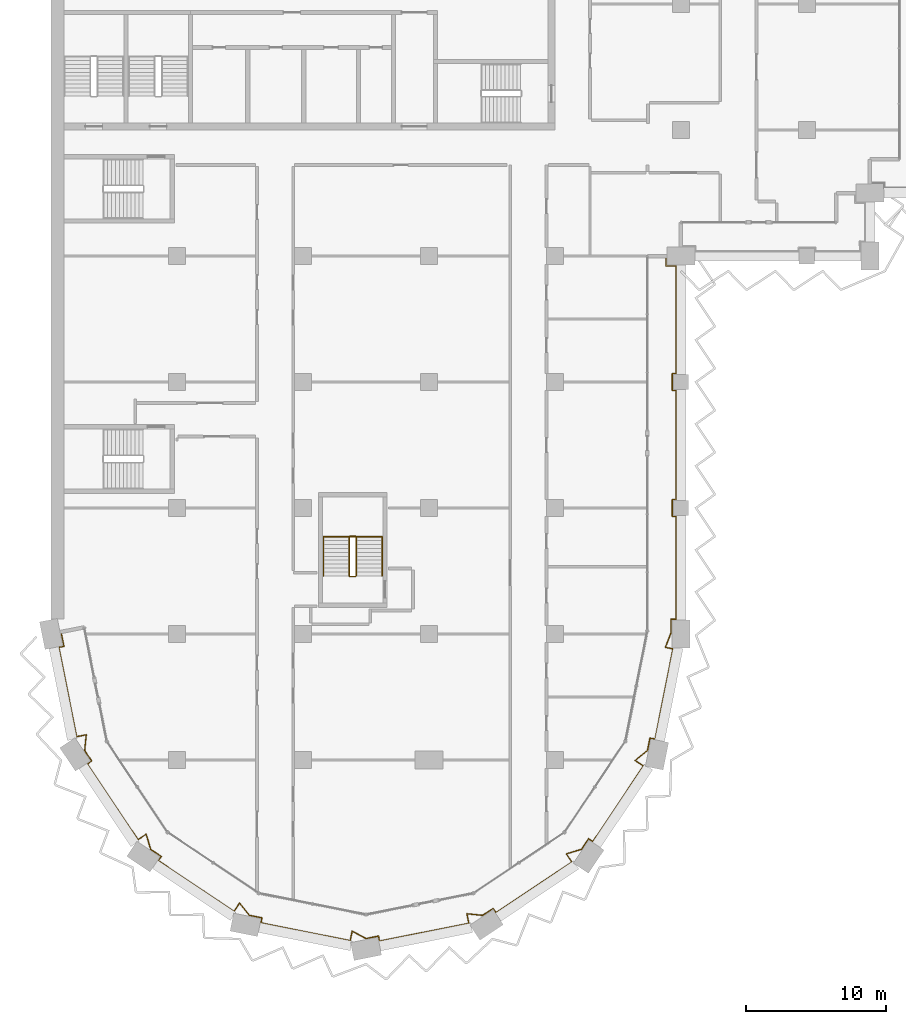
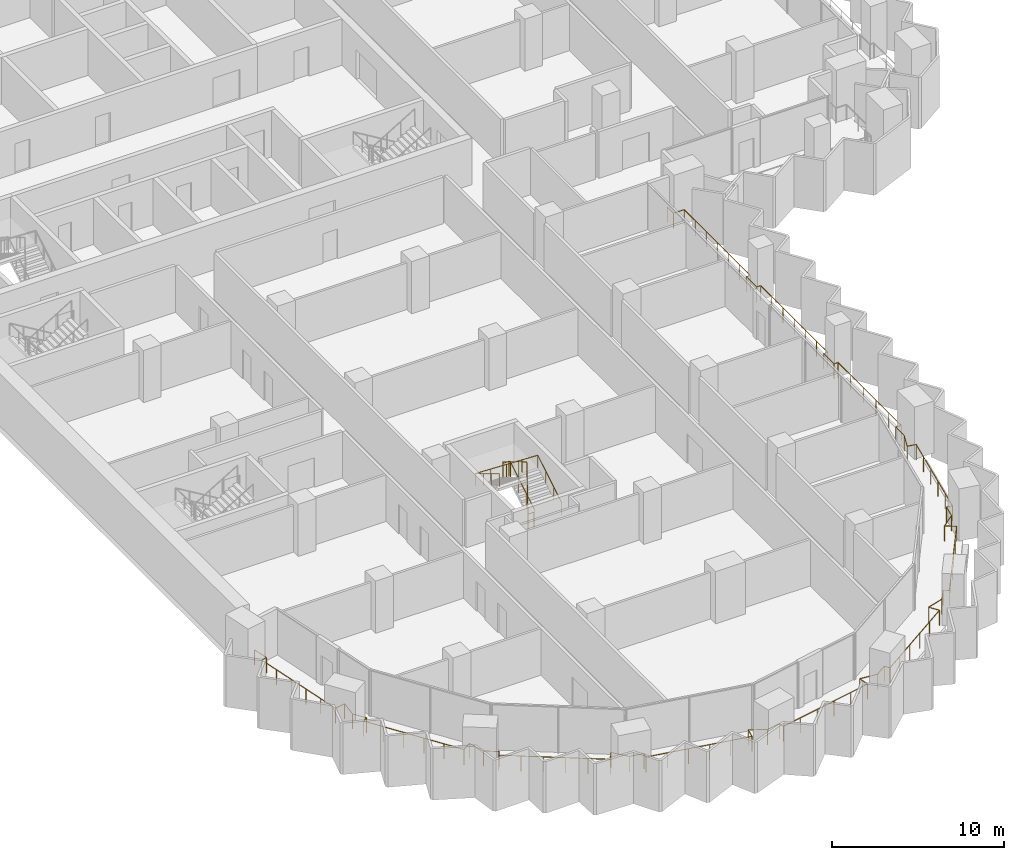
# One storey, part 19 of 22: 3 railings.
"""IFC4 building model written with IfcOpenShell, lengths in metres."""

from ifc_helpers import new_model, si_unit, direction, frame, origin, origin_2d, place, context, subcontext, project, spatial, circle, extrude, material, type_object, element, save


model = new_model("IFC4")

# Units and contexts
model_context = context("Model", 3, precision=1e-05, world=origin(), true_north=direction((0.0, 1.0)))
body_context = subcontext(model_context, "Body", "Model", "MODEL_VIEW")
ifc_project = project(units=[si_unit("LENGTHUNIT", "METRE"), si_unit("AREAUNIT", "SQUARE_METRE"), si_unit("VOLUMEUNIT", "CUBIC_METRE"), si_unit("PLANEANGLEUNIT", "RADIAN"), si_unit("MASSUNIT", "GRAM", prefix="KILO")], contexts=[model_context])

# Site, building, storey
site_placement = place(None, origin())
site = spatial("IfcSite", under=ifc_project, at=site_placement, CompositionType="ELEMENT")
building_placement = place(site_placement, origin())
building = spatial("IfcBuilding", under=site, at=building_placement, Name="Hunhe Ridgeline Campus", CompositionType="ELEMENT")
storey_placement = place(building_placement, frame((0.0, 0.0, 137.5)))
storey = spatial("IfcBuildingStorey", under=building, at=storey_placement, Name="L34", CompositionType="ELEMENT", Elevation=137.5)

# Railings
ifc_material_1 = material(Name="Steel Q355", Category="steel")
railing_type_1 = type_object("IfcRailingType", Name="Loggia guard 1100 Steel Q355", PredefinedType="GUARDRAIL", material=ifc_material_1)
railing_1_placement = place(storey_placement, frame((0.7060546875, 27.140380859375, 0.0)))
element("IfcRailing", 1, at=railing_1_placement, inside=storey, type_object=railing_type_1, Name="Loggia guard 1", PredefinedType="GUARDRAIL", context=body_context, shape_type="SweptSolid", body=[
    extrude(circle(Radius=0.02392578125, at=origin_2d()), frame((0.0, 0.0, 1.076171875), z_axis=(0.195087556151, -0.980785830564, 0.0), x_axis=(0.980785830564, 0.195087556151, 0.0)), (0.0, 0.0, 1.0), 1.050048828125),
    extrude(circle(Radius=0.02392578125, at=origin_2d()), frame((0.204833984375, -1.02978515625, 1.076171875), z_axis=(-0.980858940504, -0.194719641621, 0.0), x_axis=(0.194719641621, -0.980858940504, 0.0)), (0.0, 0.0, 1.0), 0.369873046875),
    extrude(circle(Radius=0.02392578125, at=origin_2d()), frame((-0.157958984375, -1.101806640625, 1.076171875), z_axis=(0.19507695386, -0.9807879394, 0.0), x_axis=(0.9807879394, 0.19507695386, 0.0)), (0.0, 0.0, 1.0), 6.506591796875),
    extrude(circle(Radius=0.02392578125, at=origin_2d()), frame((1.111328125, -7.4833984375, 1.076171875), z_axis=(0.980780459814, 0.195114555191, 0.0), x_axis=(-0.195114555191, 0.980780459814, 0.0)), (0.0, 0.0, 1.0), 0.703125),
    extrude(circle(Radius=0.02392578125, at=origin_2d()), frame((1.801025390625, -7.34619140625, 1.076171875), z_axis=(-0.102884402445, -0.994693319437, 0.0), x_axis=(0.994693319437, -0.102884402445, 0.0)), (0.0, 0.0, 1.0), 1.129638671875),
    extrude(circle(Radius=0.02392578125, at=origin_2d()), frame((1.684814453125, -8.4697265625, 1.076171875), z_axis=(0.555569523548, -0.831470086356, 0.0), x_axis=(0.831470086356, 0.555569523548, 0.0)), (0.0, 0.0, 1.0), 0.906982421875),
    extrude(circle(Radius=0.02392578125, at=origin_2d()), frame((2.188720703125, -9.223876953125, 1.076171875), z_axis=(-0.831440678638, -0.555613532868, 0.0), x_axis=(0.555613532868, -0.831440678638, 0.0)), (0.0, 0.0, 1.0), 0.369873046875),
    extrude(circle(Radius=0.02392578125, at=origin_2d()), frame((1.881103515625, -9.429443359375, 1.076171875), z_axis=(0.55556581165, -0.83147256655, 0.0), x_axis=(0.83147256655, 0.55556581165, 0.0)), (0.0, 0.0, 1.0), 6.50634765625),
    extrude(circle(Radius=0.02392578125, at=origin_2d()), frame((5.495849609375, -14.83935546875, 1.076171875), z_axis=(0.831355400166, 0.555741125539, 0.0), x_axis=(-0.555741125539, 0.831355400166, 0.0)), (0.0, 0.0, 1.0), 0.703369140625),
    extrude(circle(Radius=0.02392578125, at=origin_2d()), frame((6.08056640625, -14.448486328125, 1.076171875), z_axis=(0.285463917281, -0.958389457335, 0.0), x_axis=(0.958389457335, 0.285463917281, 0.0)), (0.0, 0.0, 1.0), 1.1298828125),
    extrude(circle(Radius=0.02392578125, at=origin_2d()), frame((6.403076171875, -15.53125, 1.076171875), z_axis=(0.831511358569, -0.555507750235, 0.0), x_axis=(0.555507750235, 0.831511358569, 0.0)), (0.0, 0.0, 1.0), 0.90673828125),
    extrude(circle(Radius=0.02392578125, at=origin_2d()), frame((7.156982421875, -16.034912109375, 1.076171875), z_axis=(-0.555613532868, -0.831440678638, 0.0), x_axis=(0.831440678638, -0.555613532868, 0.0)), (0.0, 0.0, 1.0), 0.369873046875),
    extrude(circle(Radius=0.02392578125, at=origin_2d()), frame((6.951416015625, -16.342529296875, 1.076171875), z_axis=(0.831455233209, -0.555591752251, 0.0), x_axis=(0.555591752251, 0.831455233209, 0.0)), (0.0, 0.0, 1.0), 6.506591796875),
    extrude(circle(Radius=0.02392578125, at=origin_2d()), frame((12.361328125, -19.95751953125, 1.076171875), z_axis=(0.555741125539, 0.831355400166, 0.0), x_axis=(-0.831355400166, 0.555741125539, 0.0)), (0.0, 0.0, 1.0), 0.703369140625),
    extrude(circle(Radius=0.02392578125, at=origin_2d()), frame((12.752197265625, -19.372802734375, 1.076171875), z_axis=(0.630633305327, -0.776080945657, 0.0), x_axis=(0.776080945657, 0.630633305327, 0.0)), (0.0, 0.0, 1.0), 1.129638671875),
    extrude(circle(Radius=0.02392578125, at=origin_2d()), frame((13.464599609375, -20.24951171875, 1.076171875), z_axis=(0.980807887006, -0.194976636516, 0.0), x_axis=(0.194976636516, 0.980807887006, 0.0)), (0.0, 0.0, 1.0), 0.906494140625),
    extrude(circle(Radius=0.02392578125, at=origin_2d()), frame((14.353759765625, -20.42626953125, 1.076171875), z_axis=(-0.194593653816, -0.980883943132, 0.0), x_axis=(0.980883943132, -0.194593653816, 0.0)), (0.0, 0.0, 1.0), 0.3701171875),
    extrude(circle(Radius=0.02392578125, at=origin_2d()), frame((14.28173828125, -20.789306640625, 1.076171875), z_axis=(0.98078651142, -0.195084133173, 0.0), x_axis=(0.195084133173, 0.98078651142, 0.0)), (0.0, 0.0, 1.0), 6.50634765625),
    extrude(circle(Radius=0.02392578125, at=origin_2d()), frame((20.6630859375, -22.05859375, 1.076171875), z_axis=(0.195114555191, 0.980780459814, 0.0), x_axis=(-0.980780459814, 0.195114555191, 0.0)), (0.0, 0.0, 1.0), 0.703125),
    extrude(circle(Radius=0.02392578125, at=origin_2d()), frame((20.80029296875, -21.368896484375, 1.076171875), z_axis=(0.879616090555, -0.475684278946, 0.0), x_axis=(0.475684278946, 0.879616090555, 0.0)), (0.0, 0.0, 1.0), 1.129638671875),
    extrude(circle(Radius=0.02392578125, at=origin_2d()), frame((21.7939453125, -21.90625, 1.076171875), z_axis=(0.98081812081, 0.194925149456, 0.0), x_axis=(-0.194925149456, 0.98081812081, 0.0)), (0.0, 0.0, 1.0), 0.90673828125),
    extrude(circle(Radius=0.02392578125, at=origin_2d()), frame((22.683349609375, -21.7294921875, 1.076171875), z_axis=(0.194719641621, -0.980858940504, 0.0), x_axis=(0.980858940504, 0.194719641621, 0.0)), (0.0, 0.0, 1.0), 0.369873046875),
    extrude(circle(Radius=0.02392578125, at=origin_2d()), frame((22.75537109375, -22.09228515625, 1.076171875), z_axis=(0.9807879394, 0.19507695386, 0.0), x_axis=(-0.19507695386, 0.9807879394, 0.0)), (0.0, 0.0, 1.0), 6.506591796875),
    extrude(circle(Radius=0.02392578125, at=origin_2d()), frame((29.136962890625, -20.822998046875, 1.076171875), z_axis=(-0.195114555191, 0.980780459814, 0.0), x_axis=(-0.980780459814, -0.195114555191, 0.0)), (0.0, 0.0, 1.0), 0.703125),
    extrude(circle(Radius=0.02392578125, at=origin_2d()), frame((28.999755859375, -20.13330078125, 1.076171875), z_axis=(0.994693319437, -0.102884402445, 0.0), x_axis=(0.102884402445, 0.994693319437, 0.0)), (0.0, 0.0, 1.0), 1.129638671875),
    extrude(circle(Radius=0.02392578125, at=origin_2d()), frame((30.123291015625, -20.24951171875, 1.076171875), z_axis=(0.831470086356, 0.555569523548, 0.0), x_axis=(-0.555569523548, 0.831470086356, 0.0)), (0.0, 0.0, 1.0), 0.906982421875),
    extrude(circle(Radius=0.02392578125, at=origin_2d()), frame((30.87744140625, -19.74560546875, 1.076171875), z_axis=(0.555613532868, -0.831440678638, 0.0), x_axis=(0.831440678638, 0.555613532868, 0.0)), (0.0, 0.0, 1.0), 0.369873046875),
    extrude(circle(Radius=0.02392578125, at=origin_2d()), frame((31.0830078125, -20.05322265625, 1.076171875), z_axis=(0.83147256655, 0.55556581165, 0.0), x_axis=(-0.55556581165, 0.83147256655, 0.0)), (0.0, 0.0, 1.0), 6.50634765625),
    extrude(circle(Radius=0.02392578125, at=origin_2d()), frame((36.492919921875, -16.4384765625, 1.076171875), z_axis=(-0.555741125539, 0.831355400166, 0.0), x_axis=(-0.831355400166, -0.555741125539, 0.0)), (0.0, 0.0, 1.0), 0.703369140625),
    extrude(circle(Radius=0.02392578125, at=origin_2d()), frame((36.10205078125, -15.853759765625, 1.076171875), z_axis=(0.958389457335, 0.285463917281, 0.0), x_axis=(-0.285463917281, 0.958389457335, 0.0)), (0.0, 0.0, 1.0), 1.1298828125),
    extrude(circle(Radius=0.02392578125, at=origin_2d()), frame((37.184814453125, -15.53125, 1.076171875), z_axis=(0.555507750235, 0.831511358569, 0.0), x_axis=(-0.831511358569, 0.555507750235, 0.0)), (0.0, 0.0, 1.0), 0.90673828125),
    extrude(circle(Radius=0.02392578125, at=origin_2d()), frame((37.6884765625, -14.77734375, 1.076171875), z_axis=(0.831440678638, -0.555613532868, 0.0), x_axis=(0.555613532868, 0.831440678638, 0.0)), (0.0, 0.0, 1.0), 0.369873046875),
    extrude(circle(Radius=0.02392578125, at=origin_2d()), frame((37.99609375, -14.98291015625, 1.076171875), z_axis=(0.555591752251, 0.831455233209, 0.0), x_axis=(-0.831455233209, 0.555591752251, 0.0)), (0.0, 0.0, 1.0), 6.506591796875),
    extrude(circle(Radius=0.02392578125, at=origin_2d()), frame((41.611083984375, -9.572998046875, 1.076171875), z_axis=(-0.831355400166, 0.555741125539, 0.0), x_axis=(-0.555741125539, -0.831355400166, 0.0)), (0.0, 0.0, 1.0), 0.703369140625),
    extrude(circle(Radius=0.02392578125, at=origin_2d()), frame((41.0263671875, -9.18212890625, 1.076171875), z_axis=(0.776080945657, 0.630633305327, 0.0), x_axis=(-0.630633305327, 0.776080945657, 0.0)), (0.0, 0.0, 1.0), 1.129638671875),
    extrude(circle(Radius=0.02392578125, at=origin_2d()), frame((41.903076171875, -8.4697265625, 1.076171875), z_axis=(0.194976636516, 0.980807887006, 0.0), x_axis=(-0.980807887006, 0.194976636516, 0.0)), (0.0, 0.0, 1.0), 0.906494140625),
    extrude(circle(Radius=0.02392578125, at=origin_2d()), frame((42.079833984375, -7.58056640625, 1.076171875), z_axis=(0.980883943132, -0.194593653816, 0.0), x_axis=(0.194593653816, 0.980883943132, 0.0)), (0.0, 0.0, 1.0), 0.3701171875),
    extrude(circle(Radius=0.02392578125, at=origin_2d()), frame((42.44287109375, -7.652587890625, 1.076171875), z_axis=(0.195087191819, 0.980785903033, 0.0), x_axis=(-0.980785903033, 0.195087191819, 0.0)), (0.0, 0.0, 1.0), 6.5712890625),
    extrude(circle(Radius=0.02392578125, at=origin_2d()), frame((43.724853515625, -1.20751953125, 1.076171875), z_axis=(-0.9807502228, 0.195266485801, 0.0), x_axis=(-0.195266485801, -0.9807502228, 0.0)), (0.0, 0.0, 1.0), 0.552734375),
    extrude(circle(Radius=0.02392578125, at=origin_2d()), frame((43.182861328125, -1.099609375, 1.076171875), z_axis=(0.354981524628, 0.934873316109, 0.0), x_axis=(-0.934873316109, 0.354981524628, 0.0)), (0.0, 0.0, 1.0), 1.101806640625),
    extrude(circle(Radius=0.02392578125, at=origin_2d()), frame((43.573974609375, -0.069580078125, 1.076171875), z_axis=(0.0, 1.0, 0.0), x_axis=(-1.0, 0.0, 0.0)), (0.0, 0.0, 1.0), 0.979248046875),
    extrude(circle(Radius=0.02392578125, at=origin_2d()), frame((43.573974609375, 0.90966796875, 1.076171875), z_axis=(1.0, 0.0, 0.0), x_axis=(0.0, 1.0, 0.0)), (0.0, 0.0, 1.0), 0.369873046875),
    extrude(circle(Radius=0.02392578125, at=origin_2d()), frame((43.94384765625, 0.90966796875, 1.076171875), z_axis=(0.0, 1.0, 0.0), x_axis=(-1.0, 0.0, 0.0)), (0.0, 0.0, 1.0), 7.349853515625),
    extrude(circle(Radius=0.02392578125, at=origin_2d()), frame((43.94384765625, 8.259521484375, 1.076171875), z_axis=(-1.0, 0.0, 0.0), x_axis=(0.0, -1.0, 0.0)), (0.0, 0.0, 1.0), 0.27001953125),
    extrude(circle(Radius=0.02392578125, at=origin_2d()), frame((43.673828125, 8.259521484375, 1.076171875), z_axis=(0.0, 1.0, 0.0), x_axis=(-1.0, 0.0, 0.0)), (0.0, 0.0, 1.0), 1.2001953125),
    extrude(circle(Radius=0.02392578125, at=origin_2d()), frame((43.673828125, 9.459716796875, 1.076171875), z_axis=(1.0, 0.0, 0.0), x_axis=(0.0, 1.0, 0.0)), (0.0, 0.0, 1.0), 0.27001953125),
    extrude(circle(Radius=0.02392578125, at=origin_2d()), frame((43.94384765625, 9.459716796875, 1.076171875), z_axis=(0.0, 1.0, 0.0), x_axis=(-1.0, 0.0, 0.0)), (0.0, 0.0, 1.0), 7.7998046875),
    extrude(circle(Radius=0.02392578125, at=origin_2d()), frame((43.94384765625, 17.259521484375, 1.076171875), z_axis=(-1.0, 0.0, 0.0), x_axis=(0.0, -1.0, 0.0)), (0.0, 0.0, 1.0), 0.27001953125),
    extrude(circle(Radius=0.02392578125, at=origin_2d()), frame((43.673828125, 17.259521484375, 1.076171875), z_axis=(0.0, 1.0, 0.0), x_axis=(-1.0, 0.0, 0.0)), (0.0, 0.0, 1.0), 1.2001953125),
    extrude(circle(Radius=0.02392578125, at=origin_2d()), frame((43.673828125, 18.459716796875, 1.076171875), z_axis=(1.0, 0.0, 0.0), x_axis=(0.0, 1.0, 0.0)), (0.0, 0.0, 1.0), 0.27001953125),
    extrude(circle(Radius=0.02392578125, at=origin_2d()), frame((43.94384765625, 18.459716796875, 1.076171875), z_axis=(0.0, 1.0, 0.0), x_axis=(-1.0, 0.0, 0.0)), (0.0, 0.0, 1.0), 7.699951171875),
    extrude(circle(Radius=0.02392578125, at=origin_2d()), frame((43.94384765625, 26.15966796875, 1.076171875), z_axis=(-1.0, 0.0, 0.0), x_axis=(0.0, -1.0, 0.0)), (0.0, 0.0, 1.0), 0.719970703125),
    extrude(circle(Radius=0.02392578125, at=origin_2d()), frame((43.223876953125, 26.15966796875, 1.076171875), z_axis=(0.0, 1.0, 0.0), x_axis=(-1.0, 0.0, 0.0)), (0.0, 0.0, 1.0), 0.699951171875),
    extrude(circle(Radius=0.02099609375, at=origin_2d()), origin(), (0.0, 0.0, 1.0), 1.052001953125),
    extrude(circle(Radius=0.02099609375, at=origin_2d()), frame((0.204833984375, -1.02978515625, 0.0)), (0.0, 0.0, 1.0), 1.052001953125),
    extrude(circle(Radius=0.02099609375, at=origin_2d()), frame((-0.157958984375, -1.101806640625, 0.0)), (0.0, 0.0, 1.0), 1.052001953125),
    extrude(circle(Radius=0.02099609375, at=origin_2d()), frame((0.095947265625, -2.378173828125, 0.0)), (0.0, 0.0, 1.0), 1.052001953125),
    extrude(circle(Radius=0.02099609375, at=origin_2d()), frame((0.349853515625, -3.654541015625, 0.0)), (0.0, 0.0, 1.0), 1.052001953125),
    extrude(circle(Radius=0.02099609375, at=origin_2d()), frame((0.603515625, -4.9306640625, 0.0)), (0.0, 0.0, 1.0), 1.052001953125),
    extrude(circle(Radius=0.02099609375, at=origin_2d()), frame((0.857421875, -6.20703125, 0.0)), (0.0, 0.0, 1.0), 1.052001953125),
    extrude(circle(Radius=0.02099609375, at=origin_2d()), frame((1.111328125, -7.4833984375, 0.0)), (0.0, 0.0, 1.0), 1.052001953125),
    extrude(circle(Radius=0.02099609375, at=origin_2d()), frame((1.801025390625, -7.34619140625, 0.0)), (0.0, 0.0, 1.0), 1.052001953125),
    extrude(circle(Radius=0.02099609375, at=origin_2d()), frame((1.684814453125, -8.4697265625, 0.0)), (0.0, 0.0, 1.0), 1.052001953125),
    extrude(circle(Radius=0.02099609375, at=origin_2d()), frame((2.188720703125, -9.223876953125, 0.0)), (0.0, 0.0, 1.0), 1.052001953125),
    extrude(circle(Radius=0.02099609375, at=origin_2d()), frame((1.881103515625, -9.429443359375, 0.0)), (0.0, 0.0, 1.0), 1.052001953125),
    extrude(circle(Radius=0.02099609375, at=origin_2d()), frame((2.60400390625, -10.511474609375, 0.0)), (0.0, 0.0, 1.0), 1.052001953125),
    extrude(circle(Radius=0.02099609375, at=origin_2d()), frame((3.326904296875, -11.593505859375, 0.0)), (0.0, 0.0, 1.0), 1.052001953125),
    extrude(circle(Radius=0.02099609375, at=origin_2d()), frame((4.050048828125, -12.67529296875, 0.0)), (0.0, 0.0, 1.0), 1.052001953125),
    extrude(circle(Radius=0.02099609375, at=origin_2d()), frame((4.77294921875, -13.75732421875, 0.0)), (0.0, 0.0, 1.0), 1.052001953125),
    extrude(circle(Radius=0.02099609375, at=origin_2d()), frame((5.495849609375, -14.83935546875, 0.0)), (0.0, 0.0, 1.0), 1.052001953125),
    extrude(circle(Radius=0.02099609375, at=origin_2d()), frame((6.08056640625, -14.448486328125, 0.0)), (0.0, 0.0, 1.0), 1.052001953125),
    extrude(circle(Radius=0.02099609375, at=origin_2d()), frame((6.403076171875, -15.53125, 0.0)), (0.0, 0.0, 1.0), 1.052001953125),
    extrude(circle(Radius=0.02099609375, at=origin_2d()), frame((7.156982421875, -16.034912109375, 0.0)), (0.0, 0.0, 1.0), 1.052001953125),
    extrude(circle(Radius=0.02099609375, at=origin_2d()), frame((6.951416015625, -16.342529296875, 0.0)), (0.0, 0.0, 1.0), 1.052001953125),
    extrude(circle(Radius=0.02099609375, at=origin_2d()), frame((8.033447265625, -17.0654296875, 0.0)), (0.0, 0.0, 1.0), 1.052001953125),
    extrude(circle(Radius=0.02099609375, at=origin_2d()), frame((9.115478515625, -17.78857421875, 0.0)), (0.0, 0.0, 1.0), 1.052001953125),
    extrude(circle(Radius=0.02099609375, at=origin_2d()), frame((10.197265625, -18.511474609375, 0.0)), (0.0, 0.0, 1.0), 1.052001953125),
    extrude(circle(Radius=0.02099609375, at=origin_2d()), frame((11.279296875, -19.234619140625, 0.0)), (0.0, 0.0, 1.0), 1.052001953125),
    extrude(circle(Radius=0.02099609375, at=origin_2d()), frame((12.361328125, -19.95751953125, 0.0)), (0.0, 0.0, 1.0), 1.052001953125),
    extrude(circle(Radius=0.02099609375, at=origin_2d()), frame((12.752197265625, -19.372802734375, 0.0)), (0.0, 0.0, 1.0), 1.052001953125),
    extrude(circle(Radius=0.02099609375, at=origin_2d()), frame((13.464599609375, -20.24951171875, 0.0)), (0.0, 0.0, 1.0), 1.052001953125),
    extrude(circle(Radius=0.02099609375, at=origin_2d()), frame((14.353759765625, -20.42626953125, 0.0)), (0.0, 0.0, 1.0), 1.052001953125),
    extrude(circle(Radius=0.02099609375, at=origin_2d()), frame((14.28173828125, -20.789306640625, 0.0)), (0.0, 0.0, 1.0), 1.052001953125),
    extrude(circle(Radius=0.02099609375, at=origin_2d()), frame((15.55810546875, -21.043212890625, 0.0)), (0.0, 0.0, 1.0), 1.052001953125),
    extrude(circle(Radius=0.02099609375, at=origin_2d()), frame((16.834228515625, -21.297119140625, 0.0)), (0.0, 0.0, 1.0), 1.052001953125),
    extrude(circle(Radius=0.02099609375, at=origin_2d()), frame((18.110595703125, -21.55078125, 0.0)), (0.0, 0.0, 1.0), 1.052001953125),
    extrude(circle(Radius=0.02099609375, at=origin_2d()), frame((19.38671875, -21.8046875, 0.0)), (0.0, 0.0, 1.0), 1.052001953125),
    extrude(circle(Radius=0.02099609375, at=origin_2d()), frame((20.6630859375, -22.05859375, 0.0)), (0.0, 0.0, 1.0), 1.052001953125),
    extrude(circle(Radius=0.02099609375, at=origin_2d()), frame((20.80029296875, -21.368896484375, 0.0)), (0.0, 0.0, 1.0), 1.052001953125),
    extrude(circle(Radius=0.02099609375, at=origin_2d()), frame((21.7939453125, -21.90625, 0.0)), (0.0, 0.0, 1.0), 1.052001953125),
    extrude(circle(Radius=0.02099609375, at=origin_2d()), frame((22.683349609375, -21.7294921875, 0.0)), (0.0, 0.0, 1.0), 1.052001953125),
    extrude(circle(Radius=0.02099609375, at=origin_2d()), frame((22.75537109375, -22.09228515625, 0.0)), (0.0, 0.0, 1.0), 1.052001953125),
    extrude(circle(Radius=0.02099609375, at=origin_2d()), frame((24.03173828125, -21.83837890625, 0.0)), (0.0, 0.0, 1.0), 1.052001953125),
    extrude(circle(Radius=0.02099609375, at=origin_2d()), frame((25.30810546875, -21.58447265625, 0.0)), (0.0, 0.0, 1.0), 1.052001953125),
    extrude(circle(Radius=0.02099609375, at=origin_2d()), frame((26.584228515625, -21.330810546875, 0.0)), (0.0, 0.0, 1.0), 1.052001953125),
    extrude(circle(Radius=0.02099609375, at=origin_2d()), frame((27.860595703125, -21.076904296875, 0.0)), (0.0, 0.0, 1.0), 1.052001953125),
    extrude(circle(Radius=0.02099609375, at=origin_2d()), frame((29.136962890625, -20.822998046875, 0.0)), (0.0, 0.0, 1.0), 1.052001953125),
    extrude(circle(Radius=0.02099609375, at=origin_2d()), frame((28.999755859375, -20.13330078125, 0.0)), (0.0, 0.0, 1.0), 1.052001953125),
    extrude(circle(Radius=0.02099609375, at=origin_2d()), frame((30.123291015625, -20.24951171875, 0.0)), (0.0, 0.0, 1.0), 1.052001953125),
    extrude(circle(Radius=0.02099609375, at=origin_2d()), frame((30.87744140625, -19.74560546875, 0.0)), (0.0, 0.0, 1.0), 1.052001953125),
    extrude(circle(Radius=0.02099609375, at=origin_2d()), frame((31.0830078125, -20.05322265625, 0.0)), (0.0, 0.0, 1.0), 1.052001953125),
    extrude(circle(Radius=0.02099609375, at=origin_2d()), frame((32.1650390625, -19.330322265625, 0.0)), (0.0, 0.0, 1.0), 1.052001953125),
    extrude(circle(Radius=0.02099609375, at=origin_2d()), frame((33.2470703125, -18.607421875, 0.0)), (0.0, 0.0, 1.0), 1.052001953125),
    extrude(circle(Radius=0.02099609375, at=origin_2d()), frame((34.328857421875, -17.88427734375, 0.0)), (0.0, 0.0, 1.0), 1.052001953125),
    extrude(circle(Radius=0.02099609375, at=origin_2d()), frame((35.410888671875, -17.161376953125, 0.0)), (0.0, 0.0, 1.0), 1.052001953125),
    extrude(circle(Radius=0.02099609375, at=origin_2d()), frame((36.492919921875, -16.4384765625, 0.0)), (0.0, 0.0, 1.0), 1.052001953125),
    extrude(circle(Radius=0.02099609375, at=origin_2d()), frame((36.10205078125, -15.853759765625, 0.0)), (0.0, 0.0, 1.0), 1.052001953125),
    extrude(circle(Radius=0.02099609375, at=origin_2d()), frame((37.184814453125, -15.53125, 0.0)), (0.0, 0.0, 1.0), 1.052001953125),
    extrude(circle(Radius=0.02099609375, at=origin_2d()), frame((37.6884765625, -14.77734375, 0.0)), (0.0, 0.0, 1.0), 1.052001953125),
    extrude(circle(Radius=0.02099609375, at=origin_2d()), frame((37.99609375, -14.98291015625, 0.0)), (0.0, 0.0, 1.0), 1.052001953125),
    extrude(circle(Radius=0.02099609375, at=origin_2d()), frame((38.718994140625, -13.90087890625, 0.0)), (0.0, 0.0, 1.0), 1.052001953125),
    extrude(circle(Radius=0.02099609375, at=origin_2d()), frame((39.442138671875, -12.81884765625, 0.0)), (0.0, 0.0, 1.0), 1.052001953125),
    extrude(circle(Radius=0.02099609375, at=origin_2d()), frame((40.1650390625, -11.737060546875, 0.0)), (0.0, 0.0, 1.0), 1.052001953125),
    extrude(circle(Radius=0.02099609375, at=origin_2d()), frame((40.88818359375, -10.655029296875, 0.0)), (0.0, 0.0, 1.0), 1.052001953125),
    extrude(circle(Radius=0.02099609375, at=origin_2d()), frame((41.611083984375, -9.572998046875, 0.0)), (0.0, 0.0, 1.0), 1.052001953125),
    extrude(circle(Radius=0.02099609375, at=origin_2d()), frame((41.0263671875, -9.18212890625, 0.0)), (0.0, 0.0, 1.0), 1.052001953125),
    extrude(circle(Radius=0.02099609375, at=origin_2d()), frame((41.903076171875, -8.4697265625, 0.0)), (0.0, 0.0, 1.0), 1.052001953125),
    extrude(circle(Radius=0.02099609375, at=origin_2d()), frame((42.079833984375, -7.58056640625, 0.0)), (0.0, 0.0, 1.0), 1.052001953125),
    extrude(circle(Radius=0.02099609375, at=origin_2d()), frame((42.44287109375, -7.652587890625, 0.0)), (0.0, 0.0, 1.0), 1.052001953125),
    extrude(circle(Radius=0.02099609375, at=origin_2d()), frame((42.69921875, -6.363525390625, 0.0)), (0.0, 0.0, 1.0), 1.052001953125),
    extrude(circle(Radius=0.02099609375, at=origin_2d()), frame((42.95556640625, -5.074462890625, 0.0)), (0.0, 0.0, 1.0), 1.052001953125),
    extrude(circle(Radius=0.02099609375, at=origin_2d()), frame((43.212158203125, -3.78564453125, 0.0)), (0.0, 0.0, 1.0), 1.052001953125),
    extrude(circle(Radius=0.02099609375, at=origin_2d()), frame((43.468505859375, -2.49658203125, 0.0)), (0.0, 0.0, 1.0), 1.052001953125),
    extrude(circle(Radius=0.02099609375, at=origin_2d()), frame((43.724853515625, -1.20751953125, 0.0)), (0.0, 0.0, 1.0), 1.052001953125),
    extrude(circle(Radius=0.02099609375, at=origin_2d()), frame((43.182861328125, -1.099609375, 0.0)), (0.0, 0.0, 1.0), 1.052001953125),
    extrude(circle(Radius=0.02099609375, at=origin_2d()), frame((43.573974609375, -0.069580078125, 0.0)), (0.0, 0.0, 1.0), 1.052001953125),
    extrude(circle(Radius=0.02099609375, at=origin_2d()), frame((43.573974609375, 0.90966796875, 0.0)), (0.0, 0.0, 1.0), 1.052001953125),
    extrude(circle(Radius=0.02099609375, at=origin_2d()), frame((43.94384765625, 0.90966796875, 0.0)), (0.0, 0.0, 1.0), 1.052001953125),
    extrude(circle(Radius=0.02099609375, at=origin_2d()), frame((43.94384765625, 2.379638671875, 0.0)), (0.0, 0.0, 1.0), 1.052001953125),
    extrude(circle(Radius=0.02099609375, at=origin_2d()), frame((43.94384765625, 3.849609375, 0.0)), (0.0, 0.0, 1.0), 1.052001953125),
    extrude(circle(Radius=0.02099609375, at=origin_2d()), frame((43.94384765625, 5.319580078125, 0.0)), (0.0, 0.0, 1.0), 1.052001953125),
    extrude(circle(Radius=0.02099609375, at=origin_2d()), frame((43.94384765625, 6.78955078125, 0.0)), (0.0, 0.0, 1.0), 1.052001953125),
    extrude(circle(Radius=0.02099609375, at=origin_2d()), frame((43.94384765625, 8.259521484375, 0.0)), (0.0, 0.0, 1.0), 1.052001953125),
    extrude(circle(Radius=0.02099609375, at=origin_2d()), frame((43.673828125, 8.259521484375, 0.0)), (0.0, 0.0, 1.0), 1.052001953125),
    extrude(circle(Radius=0.02099609375, at=origin_2d()), frame((43.673828125, 9.459716796875, 0.0)), (0.0, 0.0, 1.0), 1.052001953125),
    extrude(circle(Radius=0.02099609375, at=origin_2d()), frame((43.94384765625, 9.459716796875, 0.0)), (0.0, 0.0, 1.0), 1.052001953125),
    extrude(circle(Radius=0.02099609375, at=origin_2d()), frame((43.94384765625, 10.759765625, 0.0)), (0.0, 0.0, 1.0), 1.052001953125),
    extrude(circle(Radius=0.02099609375, at=origin_2d()), frame((43.94384765625, 12.0595703125, 0.0)), (0.0, 0.0, 1.0), 1.052001953125),
    extrude(circle(Radius=0.02099609375, at=origin_2d()), frame((43.94384765625, 13.359619140625, 0.0)), (0.0, 0.0, 1.0), 1.052001953125),
    extrude(circle(Radius=0.02099609375, at=origin_2d()), frame((43.94384765625, 14.65966796875, 0.0)), (0.0, 0.0, 1.0), 1.052001953125),
    extrude(circle(Radius=0.02099609375, at=origin_2d()), frame((43.94384765625, 15.95947265625, 0.0)), (0.0, 0.0, 1.0), 1.052001953125),
    extrude(circle(Radius=0.02099609375, at=origin_2d()), frame((43.94384765625, 17.259521484375, 0.0)), (0.0, 0.0, 1.0), 1.052001953125),
    extrude(circle(Radius=0.02099609375, at=origin_2d()), frame((43.673828125, 17.259521484375, 0.0)), (0.0, 0.0, 1.0), 1.052001953125),
    extrude(circle(Radius=0.02099609375, at=origin_2d()), frame((43.673828125, 18.459716796875, 0.0)), (0.0, 0.0, 1.0), 1.052001953125),
    extrude(circle(Radius=0.02099609375, at=origin_2d()), frame((43.94384765625, 18.459716796875, 0.0)), (0.0, 0.0, 1.0), 1.052001953125),
    extrude(circle(Radius=0.02099609375, at=origin_2d()), frame((43.94384765625, 19.7431640625, 0.0)), (0.0, 0.0, 1.0), 1.052001953125),
    extrude(circle(Radius=0.02099609375, at=origin_2d()), frame((43.94384765625, 21.0263671875, 0.0)), (0.0, 0.0, 1.0), 1.052001953125),
    extrude(circle(Radius=0.02099609375, at=origin_2d()), frame((43.94384765625, 22.3095703125, 0.0)), (0.0, 0.0, 1.0), 1.052001953125),
    extrude(circle(Radius=0.02099609375, at=origin_2d()), frame((43.94384765625, 23.593017578125, 0.0)), (0.0, 0.0, 1.0), 1.052001953125),
    extrude(circle(Radius=0.02099609375, at=origin_2d()), frame((43.94384765625, 24.87646484375, 0.0)), (0.0, 0.0, 1.0), 1.052001953125),
    extrude(circle(Radius=0.02099609375, at=origin_2d()), frame((43.94384765625, 26.15966796875, 0.0)), (0.0, 0.0, 1.0), 1.052001953125),
    extrude(circle(Radius=0.02099609375, at=origin_2d()), frame((43.223876953125, 26.15966796875, 0.0)), (0.0, 0.0, 1.0), 1.052001953125),
    extrude(circle(Radius=0.02099609375, at=origin_2d()), frame((43.223876953125, 26.859619140625, 0.0)), (0.0, 0.0, 1.0), 1.052001953125),
])
ifc_material_2 = material(Name="Stainless steel balustrade", Category="steel")
railing_type_2 = type_object("IfcRailingType", Name="Stair guard 1100 stainless", PredefinedType="GUARDRAIL", material=ifc_material_2)
railing_2_placement = place(storey_placement, frame((21.800048828125, 31.14990234375, 0.168212890625)))
element("IfcRailing", 2, at=railing_2_placement, inside=storey, type_object=railing_type_2, Name="L34 stair W3 guard", PredefinedType="GUARDRAIL", context=body_context, shape_type="SweptSolid", body=[
    extrude(circle(Radius=0.02392578125, at=origin_2d()), frame((0.0, 0.0, 1.076171875), z_axis=(0.0, 0.857242210791, 0.514913383045), x_axis=(-1.0, 0.0, 0.0)), (0.0, 0.0, 1.0), 3.266357421875),
    extrude(circle(Radius=0.02392578125, at=origin_2d()), frame((0.0, 2.800048828125, 2.7578125), z_axis=(-0.707106781187, 0.707106781187, 0.0), x_axis=(-0.707106781187, -0.707106781187, 0.0)), (0.0, 0.0, 1.0), 0.07080078125),
    extrude(circle(Radius=0.02392578125, at=origin_2d()), frame((-0.050048828125, 2.85009765625, 2.7578125), z_axis=(-1.0, 0.0, 0.0), x_axis=(0.0, -1.0, 0.0)), (0.0, 0.0, 1.0), 0.39990234375),
    extrude(circle(Radius=0.02392578125, at=origin_2d()), frame((-0.449951171875, 2.85009765625, 2.7578125), z_axis=(-0.274582412415, -0.274582412415, 0.921525364591), x_axis=(0.707106781187, -0.707106781187, 0.0)), (0.0, 0.0, 1.0), 0.182373046875),
    extrude(circle(Radius=0.02392578125, at=origin_2d()), frame((-0.5, 2.800048828125, 2.92578125), z_axis=(0.0, -0.857242210791, 0.514913383045), x_axis=(1.0, 0.0, 0.0)), (0.0, 0.0, 1.0), 3.266357421875),
    extrude(circle(Radius=0.02392578125, at=origin_2d()), frame((-0.5, 0.0, 4.60791015625), z_axis=(0.013524426427, -0.013458453615, -0.999817963389), x_axis=(0.705375805398, 0.708833529934, 0.0)), (0.0, 0.0, 1.0), 3.70068359375),
    extrude(circle(Radius=0.02392578125, at=origin_2d()), frame((-0.449951171875, -0.0498046875, 0.90771484375), z_axis=(1.0, 0.0, 0.0), x_axis=(0.0, 1.0, 0.0)), (0.0, 0.0, 1.0), 0.39990234375),
    extrude(circle(Radius=0.02099609375, at=origin_2d()), origin(), (0.0, 0.0, 1.0), 1.052001953125),
    extrude(circle(Radius=0.02099609375, at=origin_2d()), frame((0.0, 0.933349609375, 0.560546875)), (0.0, 0.0, 1.0), 1.052001953125),
    extrude(circle(Radius=0.02099609375, at=origin_2d()), frame((0.0, 1.86669921875, 1.121337890625)), (0.0, 0.0, 1.0), 1.052001953125),
    extrude(circle(Radius=0.02099609375, at=origin_2d()), frame((0.0, 2.800048828125, 1.681884765625)), (0.0, 0.0, 1.0), 1.052001953125),
    extrude(circle(Radius=0.02099609375, at=origin_2d()), frame((-0.050048828125, 2.85009765625, 1.681884765625)), (0.0, 0.0, 1.0), 1.052001953125),
    extrude(circle(Radius=0.02099609375, at=origin_2d()), frame((-0.449951171875, 2.85009765625, 1.681884765625)), (0.0, 0.0, 1.0), 1.052001953125),
    extrude(circle(Radius=0.02099609375, at=origin_2d()), frame((-0.5, 2.800048828125, 1.849853515625)), (0.0, 0.0, 1.0), 1.052001953125),
    extrude(circle(Radius=0.02099609375, at=origin_2d()), frame((-0.5, 1.86669921875, 2.410400390625)), (0.0, 0.0, 1.0), 1.052001953125),
    extrude(circle(Radius=0.02099609375, at=origin_2d()), frame((-0.5, 0.933349609375, 2.97119140625)), (0.0, 0.0, 1.0), 1.052001953125),
    extrude(circle(Radius=0.02099609375, at=origin_2d()), frame((-0.5, 0.0, 3.53173828125)), (0.0, 0.0, 1.0), 1.052001953125),
    extrude(circle(Radius=0.02099609375, at=origin_2d()), frame((-0.487548828125, -0.012451171875, 2.606689453125)), (0.0, 0.0, 1.0), 1.052001953125),
    extrude(circle(Radius=0.02099609375, at=origin_2d()), frame((-0.47509765625, -0.02490234375, 1.681640625)), (0.0, 0.0, 1.0), 1.052001953125),
    extrude(circle(Radius=0.02099609375, at=origin_2d()), frame((-0.46240234375, -0.037353515625, 0.7568359375)), (0.0, 0.0, 1.0), 1.052001953125),
    extrude(circle(Radius=0.02099609375, at=origin_2d()), frame((-0.449951171875, -0.0498046875, -0.168212890625)), (0.0, 0.0, 1.0), 1.052001953125),
    extrude(circle(Radius=0.02099609375, at=origin_2d()), frame((-0.050048828125, -0.0498046875, -0.168212890625)), (0.0, 0.0, 1.0), 1.052001953125),
])
ifc_material_3 = material(Name="Stainless steel handrail", Category="steel")
railing_type_3 = type_object("IfcRailingType", Name="Stair handrail 900 stainless", PredefinedType="HANDRAIL", material=ifc_material_3)
railing_3_placement = place(storey_placement, frame((23.64990234375, 31.14990234375, 0.168212890625)))
element("IfcRailing", 3, at=railing_3_placement, inside=storey, type_object=railing_type_3, Name="L34 stair W3 handrail", PredefinedType="HANDRAIL", context=body_context, shape_type="SweptSolid", body=[
    extrude(circle(Radius=0.02392578125, at=origin_2d()), frame((0.0, 0.0, 0.8759765625), z_axis=(0.0, 0.857242210791, 0.514913383045), x_axis=(-1.0, 0.0, 0.0)), (0.0, 0.0, 1.0), 3.266357421875),
    extrude(circle(Radius=0.02392578125, at=origin_2d()), frame((0.0, 2.800048828125, 2.5576171875), z_axis=(-0.99920123705, 0.0, 0.039961079526), x_axis=(0.0, -1.0, 0.0)), (0.0, 0.0, 1.0), 4.203369140625),
    extrude(circle(Radius=0.02392578125, at=origin_2d()), frame((-4.199951171875, 2.800048828125, 2.7255859375), z_axis=(0.0, -0.857242210791, 0.514913383045), x_axis=(1.0, 0.0, 0.0)), (0.0, 0.0, 1.0), 3.266357421875),
    extrude(circle(Radius=0.02099609375, at=origin_2d()), origin(), (0.0, 0.0, 1.0), 0.851806640625),
    extrude(circle(Radius=0.02099609375, at=origin_2d()), frame((0.0, 0.933349609375, 0.560546875)), (0.0, 0.0, 1.0), 0.851806640625),
    extrude(circle(Radius=0.02099609375, at=origin_2d()), frame((0.0, 1.86669921875, 1.121337890625)), (0.0, 0.0, 1.0), 0.851806640625),
    extrude(circle(Radius=0.02099609375, at=origin_2d()), frame((0.0, 2.800048828125, 1.681884765625)), (0.0, 0.0, 1.0), 0.851806640625),
    extrude(circle(Radius=0.02099609375, at=origin_2d()), frame((-1.050048828125, 2.800048828125, 1.723876953125)), (0.0, 0.0, 1.0), 0.851806640625),
    extrude(circle(Radius=0.02099609375, at=origin_2d()), frame((-2.10009765625, 2.800048828125, 1.765869140625)), (0.0, 0.0, 1.0), 0.851806640625),
    extrude(circle(Radius=0.02099609375, at=origin_2d()), frame((-3.14990234375, 2.800048828125, 1.807861328125)), (0.0, 0.0, 1.0), 0.851806640625),
    extrude(circle(Radius=0.02099609375, at=origin_2d()), frame((-4.199951171875, 2.800048828125, 1.849853515625)), (0.0, 0.0, 1.0), 0.851806640625),
    extrude(circle(Radius=0.02099609375, at=origin_2d()), frame((-4.199951171875, 1.86669921875, 2.410400390625)), (0.0, 0.0, 1.0), 0.851806640625),
    extrude(circle(Radius=0.02099609375, at=origin_2d()), frame((-4.199951171875, 0.933349609375, 2.97119140625)), (0.0, 0.0, 1.0), 0.851806640625),
    extrude(circle(Radius=0.02099609375, at=origin_2d()), frame((-4.199951171875, 0.0, 3.53173828125)), (0.0, 0.0, 1.0), 0.851806640625),
])

save(model, "model.ifc")
